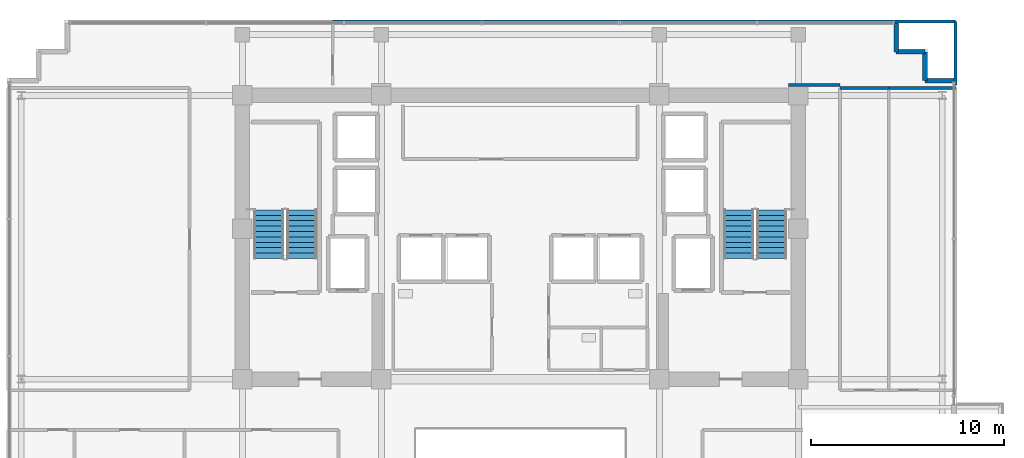
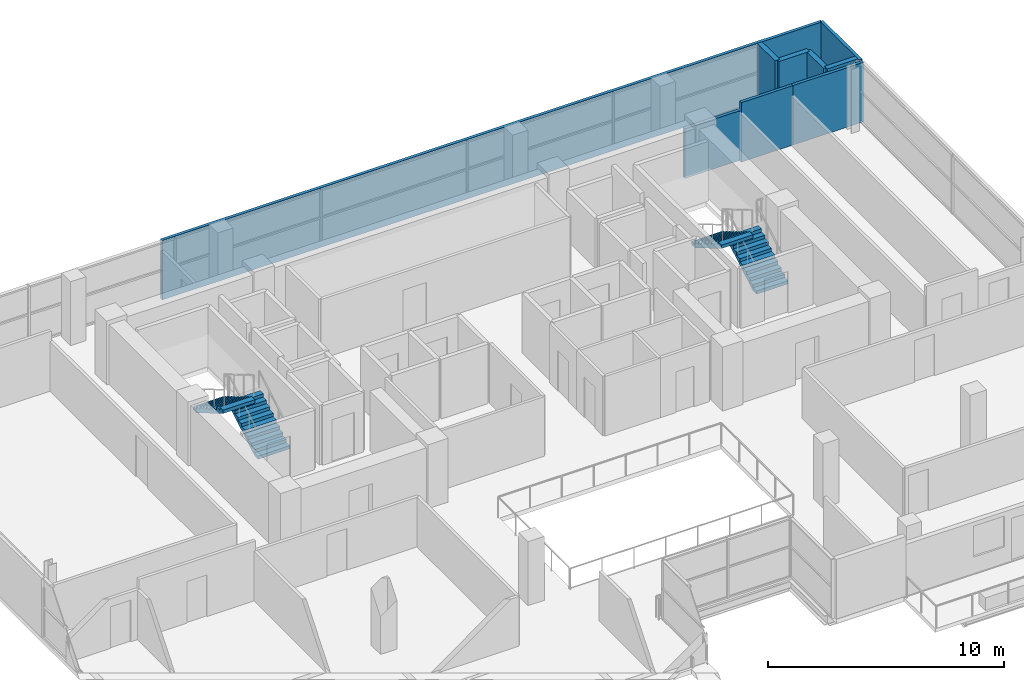
# One storey, part 20 of 23: 9 walls, 4 stair flights, 2 elements without a shape of their own.
"""IFC4 building model written with IfcOpenShell, lengths in metres."""

from ifc_helpers import new_model, si_unit, direction, frame, frame_2d, origin, place, context, subcontext, project, spatial, polyline, rectangle, outline, extrude, material, layer, layer_set, type_object, element, aggregate, save


model = new_model("IFC4")

# Units and contexts
model_context = context("Model", 3, precision=1e-05, world=origin(), true_north=direction((0.0, 1.0)))
body_context = subcontext(model_context, "Body", "Model", "MODEL_VIEW")
ifc_project = project(units=[si_unit("LENGTHUNIT", "METRE"), si_unit("AREAUNIT", "SQUARE_METRE"), si_unit("VOLUMEUNIT", "CUBIC_METRE"), si_unit("PLANEANGLEUNIT", "RADIAN"), si_unit("MASSUNIT", "GRAM", prefix="KILO")], contexts=[model_context])

# Site, building, storey
site_placement = place(None, origin())
site = spatial("IfcSite", under=ifc_project, at=site_placement, CompositionType="ELEMENT")
building_placement = place(site_placement, origin())
building = spatial("IfcBuilding", under=site, at=building_placement, Name="Zarnakvel Exchange Tower", CompositionType="ELEMENT")
storey_placement = place(building_placement, frame((0.0, 0.0, 149.5)))
storey = spatial("IfcBuildingStorey", under=building, at=storey_placement, Name="L41", CompositionType="ELEMENT", Elevation=149.5)

# Walls
ifc_material_1 = material(Name="Precast concrete C40/50", Category="concrete")
ifc_layer_1 = layer(ifc_material_1, 0.239990234375)
ifc_layer_set_1 = layer_set([ifc_layer_1], Name="Precast concrete C40/50")
wall_type_1 = type_object("IfcWallType", Name="EW-02", PredefinedType="SOLIDWALL", material=ifc_layer_set_1)
for number, where, z_axis, x_axis, name in (
    (1, (19.4599609375, 15.760009765625, 0.0), (0.0, 0.0, 1.0), (0.0, 1.0, 0.0), "L41 Exterior Precast Spandrel Wall EWC-L41-05 (EW-02)"),
    (2, (20.9599609375, 15.760009765625, 0.0), (0.0, 0.0, 1.0), (-1.0, 0.0, 0.0), "L41 Exterior Precast Spandrel Wall EWC-L41-06 (EW-02)"),
    (3, (20.9599609375, 14.260009765625, 0.0), (0.0, 0.0, 1.0), (0.0, 1.0, 0.0), "L41 Exterior Precast Spandrel Wall EWC-L41-07 (EW-02)"),
    (4, (22.4599609375, 14.260009765625, 0.0), (0.0, 0.0, 1.0), (-1.0, 0.0, 0.0), "L41 Exterior Precast Spandrel Wall EWC-L41-08 (EW-02)"),
):
    element("IfcWall", number, at=place(storey_placement, frame(where, z_axis=z_axis, x_axis=x_axis)), inside=storey, type_object=wall_type_1, Name=name, PredefinedType="SOLIDWALL", context=body_context, shape_type="SweptSolid", body=[
        extrude(rectangle(XDim=1.5, YDim=0.239990234375, at=frame_2d((0.75, 0.0))), origin(), (0.0, 0.0, 1.0), 3.074951171875),
    ])
ifc_material_2 = material(Name="Fire-Rated Gypsum Stud Partition", Category="gypsum")
ifc_layer_2 = layer(ifc_material_2, 0.14990234375)
ifc_layer_set_2 = layer_set([ifc_layer_2], Name="Fire-Rated Gypsum Stud Partition")
wall_type_2 = type_object("IfcWallType", Name="PT-01", PredefinedType="PARTITIONING", material=ifc_layer_set_2)
wall_1_placement = place(storey_placement, frame((16.56298828125, 13.8798828125, 0.0), z_axis=(0.0, 0.0, 1.0), x_axis=(1.0, 0.0, 0.0)))
element("IfcWall", 5, at=wall_1_placement, inside=storey, type_object=wall_type_2, Name="L41 Partition Wall PWALL-L41-050 (PT-01)", PredefinedType="PARTITIONING", context=body_context, shape_type="SweptSolid", body=[
    extrude(rectangle(XDim=2.52001953125, YDim=0.14990234375, at=frame_2d((1.260009765625, 0.0))), origin(), (0.0, 0.0, 1.0), 3.074951171875),
])
wall_2_placement = place(storey_placement, frame((19.0830078125, 13.8798828125, 0.0), z_axis=(0.0, 0.0, 1.0), x_axis=(1.0, 0.0, 0.0)))
element("IfcWall", 6, at=wall_2_placement, inside=storey, type_object=wall_type_2, Name="L41 Partition Wall PWALL-L41-054 (PT-01)", PredefinedType="PARTITIONING", context=body_context, shape_type="SweptSolid", body=[
    extrude(rectangle(XDim=3.447021484375, YDim=0.14990234375, at=frame_2d((1.7236328125, 0.0))), origin(), (0.0, 0.0, 1.0), 3.074951171875),
])
wall_3_placement = place(storey_placement, frame((16.56298828125, 14.030029296875, 0.0), z_axis=(0.0, 0.0, 1.0), x_axis=(-1.0, 0.0, 0.0)))
element("IfcWall", 7, at=wall_3_placement, inside=storey, type_object=wall_type_2, Name="L41 Partition Wall PWALL-L41-058 (PT-01)", PredefinedType="PARTITIONING", context=body_context, shape_type="SweptSolid", body=[
    extrude(rectangle(XDim=2.6630859375, YDim=0.14990234375, at=frame_2d((1.33154296875, 0.0))), origin(), (0.0, 0.0, 1.0), 2.56494140625),
])
wall_4_placement = place(storey_placement, frame((-9.719970703125, 17.330078125, 0.0), z_axis=(0.0, 0.0, 1.0), x_axis=(1.0, 0.0, 0.0)))
element("IfcWall", 8, at=wall_4_placement, inside=storey, type_object=wall_type_2, Name="L41 Partition Wall PWALL-L41-059 (PT-01)", PredefinedType="PARTITIONING", context=body_context, shape_type="SweptSolid", body=[
    extrude(rectangle(XDim=32.25, YDim=0.14990234375, at=frame_2d((16.125, 0.0))), origin(), (0.0, 0.0, 1.0), 3.074951171875),
])
wall_5_placement = place(storey_placement, frame((22.530029296875, 17.330078125, 0.0), z_axis=(0.0, 0.0, 1.0), x_axis=(0.0, -1.0, 0.0)))
element("IfcWall", 9, at=wall_5_placement, inside=storey, type_object=wall_type_2, Name="L41 Partition Wall PWALL-L41-061 (PT-01)", PredefinedType="PARTITIONING", context=body_context, shape_type="SweptSolid", body=[
    extrude(rectangle(XDim=3.300048828125, YDim=0.14990234375, at=frame_2d((1.64990234375, 0.0))), origin(), (0.0, 0.0, 1.0), 3.074951171875),
])

# Stair, stair flights
ifc_material_3 = material(Name="Concrete C40/50", Category="concrete")
stair_type = type_object("IfcStairType", Name="STR-01", PredefinedType="HALF_TURN_STAIR", material=ifc_material_3)
stair_1_placement = place(storey_placement, origin())
stair_1 = element("IfcStair", 10, at=stair_1_placement, inside=storey, type_object=stair_type, Name="L41 Protected Core Exit Stair ST-01", PredefinedType="HALF_TURN_STAIR")
stair_flight_type = type_object("IfcStairFlightType", Name="FLT-01", PredefinedType="STRAIGHT", material=ifc_material_3)
stair_flight_1_placement = place(storey_placement, frame((-11.31494140625, 5.050048828125, 0.0), z_axis=(0.0, 0.0, 1.0), x_axis=(0.0, 1.0, 0.0)))
stair_flight_1 = element("IfcStairFlight", 11, at=stair_flight_1_placement, type_object=stair_flight_type, Name="ST-01 flight 1", NumberOfRisers=10, NumberOfTreads=9, PredefinedType="STRAIGHT", RiserHeight=0.165, TreadLength=0.28, context=body_context, shape_type="SweptSolid", body=[
    extrude(outline(polyline([(0.0, 0.0), (0.0, 0.1650390625), (0.280029296875, 0.1650390625), (0.280029296875, 0.330078125), (0.56005859375, 0.330078125), (0.56005859375, 0.4951171875), (0.840087890625, 0.4951171875), (0.840087890625, 0.659912109375), (1.1201171875, 0.659912109375), (1.1201171875, 0.824951171875), (1.39990234375, 0.824951171875), (1.39990234375, 0.989990234375), (1.679931640625, 0.989990234375), (1.679931640625, 1.155029296875), (1.9599609375, 1.155029296875), (1.9599609375, 1.320068359375), (2.239990234375, 1.320068359375), (2.239990234375, 1.485107421875), (2.52001953125, 1.485107421875), (2.52001953125, 1.64990234375), (2.52001953125, 1.31103515625), (0.295166015625, 0.0), (0.0, 0.0)])), frame((0.0, 0.77490234375, 0.0), z_axis=(0.0, -1.0, 0.0), x_axis=(1.0, 0.0, 0.0)), (0.0, 0.0, 1.0), 1.550048828125),
])
stair_flight_2_placement = place(storey_placement, frame((-13.02490234375, 7.570068359375, 1.64990234375), z_axis=(0.0, 0.0, 1.0), x_axis=(0.0, -1.0, 0.0)))
stair_flight_2 = element("IfcStairFlight", 12, at=stair_flight_2_placement, type_object=stair_flight_type, Name="ST-01 flight 2", NumberOfRisers=10, NumberOfTreads=9, PredefinedType="STRAIGHT", RiserHeight=0.165, TreadLength=0.28, context=body_context, shape_type="SweptSolid", body=[
    extrude(outline(polyline([(0.0, 0.0), (0.0, 0.1650390625), (0.280029296875, 0.1650390625), (0.280029296875, 0.330078125), (0.56005859375, 0.330078125), (0.56005859375, 0.4951171875), (0.840087890625, 0.4951171875), (0.840087890625, 0.659912109375), (1.1201171875, 0.659912109375), (1.1201171875, 0.824951171875), (1.39990234375, 0.824951171875), (1.39990234375, 0.989990234375), (1.679931640625, 0.989990234375), (1.679931640625, 1.155029296875), (1.9599609375, 1.155029296875), (1.9599609375, 1.320068359375), (2.239990234375, 1.320068359375), (2.239990234375, 1.485107421875), (2.52001953125, 1.485107421875), (2.52001953125, 1.64990234375), (2.52001953125, 1.31103515625), (0.295166015625, 0.0), (0.0, 0.0)])), frame((0.0, 0.77490234375, 0.0), z_axis=(0.0, -1.0, 0.0), x_axis=(1.0, 0.0, 0.0)), (0.0, 0.0, 1.0), 1.550048828125),
])
aggregate(stair_1, [stair_flight_1, stair_flight_2])

stair_2_placement = place(storey_placement, origin())
stair_2 = element("IfcStair", 13, at=stair_2_placement, inside=storey, type_object=stair_type, Name="L41 Protected Core Exit Stair ST-02", PredefinedType="HALF_TURN_STAIR")
stair_flight_3_placement = place(storey_placement, frame((13.02490234375, 5.050048828125, 0.0), z_axis=(0.0, 0.0, 1.0), x_axis=(0.0, 1.0, 0.0)))
stair_flight_3 = element("IfcStairFlight", 14, at=stair_flight_3_placement, type_object=stair_flight_type, Name="ST-02 flight 1", NumberOfRisers=10, NumberOfTreads=9, PredefinedType="STRAIGHT", RiserHeight=0.165, TreadLength=0.28, context=body_context, shape_type="SweptSolid", body=[
    extrude(outline(polyline([(0.0, 0.0), (0.0, 0.1650390625), (0.280029296875, 0.1650390625), (0.280029296875, 0.330078125), (0.56005859375, 0.330078125), (0.56005859375, 0.4951171875), (0.840087890625, 0.4951171875), (0.840087890625, 0.659912109375), (1.1201171875, 0.659912109375), (1.1201171875, 0.824951171875), (1.39990234375, 0.824951171875), (1.39990234375, 0.989990234375), (1.679931640625, 0.989990234375), (1.679931640625, 1.155029296875), (1.9599609375, 1.155029296875), (1.9599609375, 1.320068359375), (2.239990234375, 1.320068359375), (2.239990234375, 1.485107421875), (2.52001953125, 1.485107421875), (2.52001953125, 1.64990234375), (2.52001953125, 1.31103515625), (0.295166015625, 0.0), (0.0, 0.0)])), frame((0.0, 0.77490234375, 0.0), z_axis=(0.0, -1.0, 0.0), x_axis=(1.0, 0.0, 0.0)), (0.0, 0.0, 1.0), 1.550048828125),
])
stair_flight_4_placement = place(storey_placement, frame((11.31494140625, 7.570068359375, 1.64990234375), z_axis=(0.0, 0.0, 1.0), x_axis=(0.0, -1.0, 0.0)))
stair_flight_4 = element("IfcStairFlight", 15, at=stair_flight_4_placement, type_object=stair_flight_type, Name="ST-02 flight 2", NumberOfRisers=10, NumberOfTreads=9, PredefinedType="STRAIGHT", RiserHeight=0.165, TreadLength=0.28, context=body_context, shape_type="SweptSolid", body=[
    extrude(outline(polyline([(0.0, 0.0), (0.0, 0.1650390625), (0.280029296875, 0.1650390625), (0.280029296875, 0.330078125), (0.56005859375, 0.330078125), (0.56005859375, 0.4951171875), (0.840087890625, 0.4951171875), (0.840087890625, 0.659912109375), (1.1201171875, 0.659912109375), (1.1201171875, 0.824951171875), (1.39990234375, 0.824951171875), (1.39990234375, 0.989990234375), (1.679931640625, 0.989990234375), (1.679931640625, 1.155029296875), (1.9599609375, 1.155029296875), (1.9599609375, 1.320068359375), (2.239990234375, 1.320068359375), (2.239990234375, 1.485107421875), (2.52001953125, 1.485107421875), (2.52001953125, 1.64990234375), (2.52001953125, 1.31103515625), (0.295166015625, 0.0), (0.0, 0.0)])), frame((0.0, 0.77490234375, 0.0), z_axis=(0.0, -1.0, 0.0), x_axis=(1.0, 0.0, 0.0)), (0.0, 0.0, 1.0), 1.550048828125),
])
aggregate(stair_2, [stair_flight_3, stair_flight_4])

save(model, "model.ifc")
